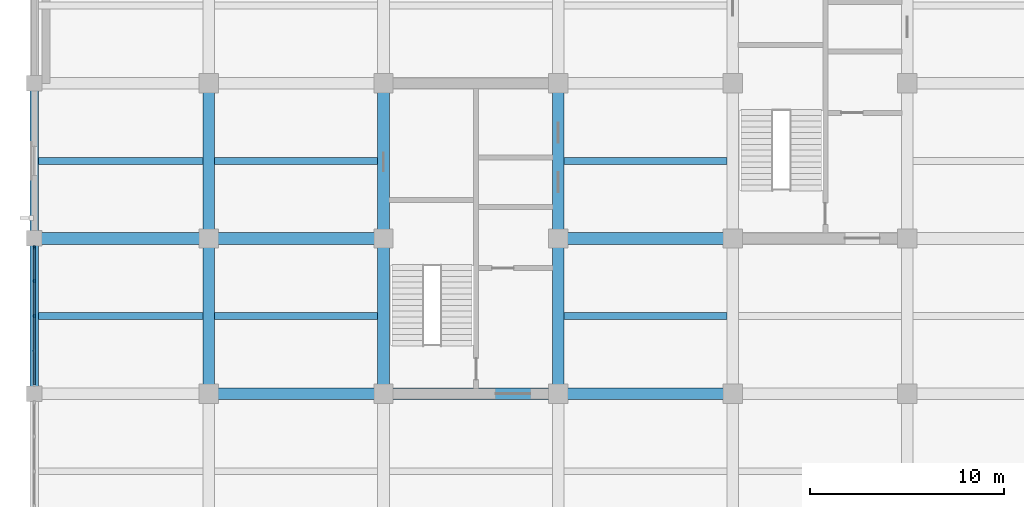
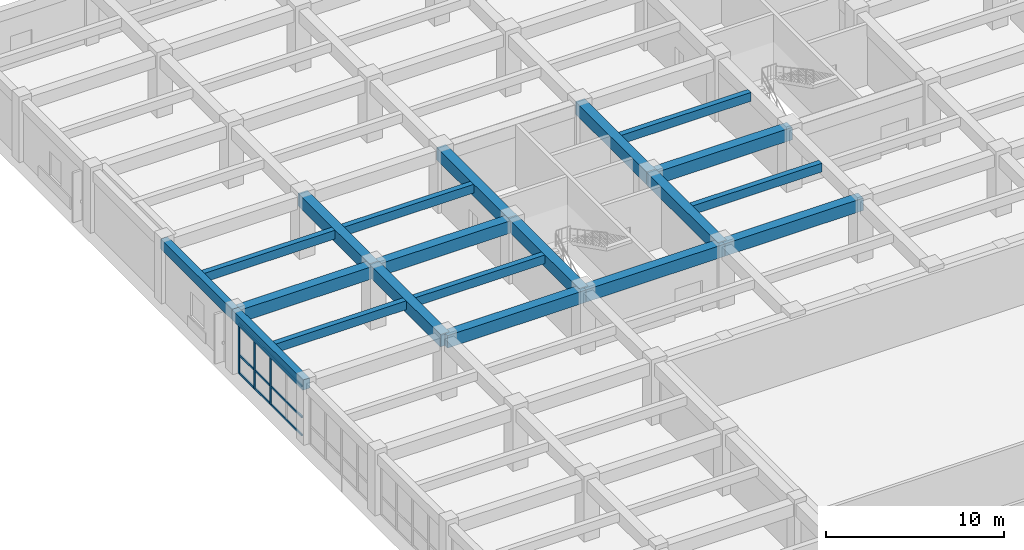
# One storey, part 14 of 50: 20 beams, 6 members, 1 element without a shape of its own.
"""IFC4 building model written with IfcOpenShell, lengths in metres."""

import ifcopenshell
import ifcopenshell.guid

model = None  # the IFC model being written
_history = None  # IfcOwnerHistory: only IFC2X3 demands one
_inside = {}  # id of a spatial element -> (the spatial element, [elements in it])
_under = {}  # id of a project, library or spatial element -> (it, [spatial elements below it])
_declared = {}  # id of a project -> (the project, [libraries it declares])
_typed = {}  # id of a type object -> (the type object, [elements of that type])
_made_of = {}  # id of a material, layer set ... -> (it, [elements and type objects made of it])


def new_model(schema):
    """Start an empty IFC model of exactly this schema.

    Asked for "IFC4X3", IfcOpenShell would pick the latest addendum, in which some entities
    have other attributes; the version numbers below select the first issue.
    IFC2X3 requires an IfcOwnerHistory on every rooted entity: one is made here for all.
    """
    global model, _history
    if schema == "IFC4X3":
        model = ifcopenshell.file(schema_version=(4, 3, 0, 0))
    else:
        model = ifcopenshell.file(schema=schema)
    _inside.clear()
    _under.clear()
    _declared.clear()
    _typed.clear()
    _made_of.clear()
    _history = None
    if model.schema == "IFC2X3":
        org = make("IfcOrganization", Name="unknown")
        user = make(
            "IfcPersonAndOrganization",
            ThePerson=make("IfcPerson", FamilyName="unknown"),
            TheOrganization=org,
        )
        app = make(
            "IfcApplication",
            ApplicationDeveloper=org,
            Version="unknown",
            ApplicationFullName="unknown",
            ApplicationIdentifier="unknown",
        )
        _history = make(
            "IfcOwnerHistory",
            OwningUser=user,
            OwningApplication=app,
            ChangeAction="ADDED",
            CreationDate=0,
        )
    return model


def make(cls, **values):
    """One entity of the class cls with the attributes given. An attribute that is None is left unset."""
    return model.create_entity(
        cls, **{name: value for name, value in values.items() if value is not None}
    )


def rooted(cls, **values):
    """An entity with a GlobalId (a new one), such as an element, a storey or a relation."""
    return make(cls, GlobalId=ifcopenshell.guid.new(), OwnerHistory=_history, **values)


def si_unit(unit_type, name, prefix=None):
    """IfcSIUnit, for example si_unit("LENGTHUNIT", "METRE", prefix="MILLI")."""
    return make("IfcSIUnit", UnitType=unit_type, Prefix=prefix, Name=name)


def assignment(units):
    """IfcUnitAssignment: the units of a project."""
    return None if units is None else make("IfcUnitAssignment", Units=units)


def point(xyz):
    """IfcCartesianPoint."""
    return None if xyz is None else make("IfcCartesianPoint", Coordinates=xyz)


def direction(xyz):
    """IfcDirection."""
    return None if xyz is None else make("IfcDirection", DirectionRatios=xyz)


def frame(location, z_axis=None, x_axis=None):
    """IfcAxis2Placement3D, a coordinate frame: its origin and axes. An axis left out is left unset."""
    return make(
        "IfcAxis2Placement3D",
        Location=point(location),
        Axis=direction(z_axis),
        RefDirection=direction(x_axis),
    )


def frame_2d(location, x_axis=None):
    """IfcAxis2Placement2D, a coordinate frame in the plane: its origin and x axis."""
    return make(
        "IfcAxis2Placement2D", Location=point(location), RefDirection=direction(x_axis)
    )


def origin():
    """The frame at (0, 0, 0) with its axes left unset."""
    return frame((0.0, 0.0, 0.0))


def origin_2d():
    """The frame at (0, 0) in the plane with its x axis left unset."""
    return frame_2d((0.0, 0.0))


def place(relative_to, where):
    """IfcLocalPlacement: puts the frame where relative to a parent placement (None: the world)."""
    return make(
        "IfcLocalPlacement", PlacementRelTo=relative_to, RelativePlacement=where
    )


def context(
    kind, dimensions, precision=None, world=None, true_north=None, identifier=None
):
    """IfcGeometricRepresentationContext, for example the 3D "Model" context."""
    return make(
        "IfcGeometricRepresentationContext",
        ContextIdentifier=identifier,
        ContextType=kind,
        CoordinateSpaceDimension=dimensions,
        Precision=precision,
        WorldCoordinateSystem=world,
        TrueNorth=true_north,
    )


def subcontext(parent, identifier, kind, view, scale=None):
    """IfcGeometricRepresentationSubContext, for example "Body" below "Model"."""
    return make(
        "IfcGeometricRepresentationSubContext",
        ContextIdentifier=identifier,
        ContextType=kind,
        ParentContext=parent,
        TargetScale=scale,
        TargetView=view,
    )


def project(units=None, contexts=None):
    """IfcProject with its units and contexts."""
    return rooted(
        "IfcProject",
        Name="project",
        RepresentationContexts=contexts,
        UnitsInContext=assignment(units),
    )


def spatial(cls, under=None, at=None, **own):
    """A site, building, storey or space (cls), placed at a placement, below another one or the project."""
    s = rooted(cls, ObjectPlacement=at, **own)
    if under is not None:
        _under.setdefault(under.id(), (under, []))[1].append(s)
    return s


def profile(cls, at=None, kind="AREA", **sizes):
    """A parametric profile (cls). Its sizes go by their IFC names, for example OverallWidth=200.0."""
    return make(cls, ProfileType=kind, Position=at, **sizes)


def rectangle(**sizes):
    """IfcRectangleProfileDef."""
    return profile("IfcRectangleProfileDef", **sizes)


def extrude(swept, where, along, depth):
    """IfcExtrudedAreaSolid: the profile swept, set in the frame where, extruded along a direction by depth."""
    return make(
        "IfcExtrudedAreaSolid",
        SweptArea=swept,
        Position=where,
        ExtrudedDirection=direction(along),
        Depth=depth,
    )


def shape(context_of_items, identifier, shape_type, items):
    """IfcShapeRepresentation: the items that make up one representation, for example the "Body"."""
    return make(
        "IfcShapeRepresentation",
        ContextOfItems=context_of_items,
        RepresentationIdentifier=identifier,
        RepresentationType=shape_type,
        Items=items,
    )


def material(Name=None, Category=None):
    """IfcMaterial."""
    return make("IfcMaterial", Name=Name, Category=Category)


def material_profile(
    of_material, cross_section, Name=None, Category=None, Priority=None
):
    """IfcMaterialProfile: a cross section and its material."""
    return make(
        "IfcMaterialProfile",
        Name=Name,
        Material=of_material,
        Profile=cross_section,
        Priority=Priority,
        Category=Category,
    )


def profile_set(profiles, Name=None, composite=None):
    """IfcMaterialProfileSet."""
    return make(
        "IfcMaterialProfileSet",
        Name=Name,
        MaterialProfiles=profiles,
        CompositeProfile=composite,
    )


def made_of(thing, what):
    """Note that an element or type object is made of a material, layer set ...; save() writes the relation."""
    if what is not None:
        _made_of.setdefault(what.id(), (what, []))[1].append(thing)
    return thing


def type_object(cls, material=None, **own):
    """A type object (cls), such as IfcWallType, which elements share."""
    return made_of(rooted(cls, **own), material)


def element(
    cls,
    number,
    at=None,
    inside=None,
    cuts=None,
    type_object=None,
    material=None,
    context=None,
    identifier="Body",
    shape_type=None,
    held_by="IfcProductDefinitionShape",
    body=None,
    shapes=None,
    **own,
):
    """One element of the class cls, such as IfcWall. Its Tag is "e" and its number.

    at: its placement. inside: the storey or other place that contains it. cuts: it is an
    opening in that element (IfcRelVoidsElement). A single representation is given by context,
    identifier, shape_type and body (its items); several are given by shapes. held_by: the class
    of the entity that holds the representations. save() writes the other relations.
    """
    e = rooted(cls, Tag="e%d" % number, ObjectPlacement=at, **own)
    if body is not None:
        shapes = [shape(context, identifier, shape_type, body)]
    if shapes is not None:
        e.Representation = make(held_by, Representations=shapes)
    if inside is not None:
        _inside.setdefault(inside.id(), (inside, []))[1].append(e)
    if cuts is not None:
        rooted(
            "IfcRelVoidsElement", RelatingBuildingElement=cuts, RelatedOpeningElement=e
        )
    if type_object is not None:
        _typed.setdefault(type_object.id(), (type_object, []))[1].append(e)
    return made_of(e, material)


def aggregate(whole, parts):
    """IfcRelAggregates: a whole, such as a stair, and the parts it consists of."""
    return rooted("IfcRelAggregates", RelatingObject=whole, RelatedObjects=parts)


def save(model, path):
    """Write the relations noted so far, then the file.

    IfcRelAggregates (storeys below a building ...), IfcRelContainedInSpatialStructure (elements
    in a storey), IfcRelDefinesByType, IfcRelAssociatesMaterial and IfcRelDeclares: one each for
    every whole, place, type object, material and project.
    """
    for whole, parts in _under.values():
        aggregate(whole, parts)
    for where, things in _inside.values():
        rooted(
            "IfcRelContainedInSpatialStructure",
            RelatedElements=things,
            RelatingStructure=where,
        )
    for kind, things in _typed.values():
        rooted("IfcRelDefinesByType", RelatedObjects=things, RelatingType=kind)
    for what, things in _made_of.values():
        rooted("IfcRelAssociatesMaterial", RelatedObjects=things, RelatingMaterial=what)
    for by, libraries in _declared.values():
        rooted("IfcRelDeclares", RelatingContext=by, RelatedDefinitions=libraries)
    model.write(path)


model = new_model("IFC4")

# Units and contexts
model_context = context("Model", 3, precision=1e-05, world=origin(), true_north=direction((0.0, 1.0)))
body_context = subcontext(model_context, "Body", "Model", "MODEL_VIEW")
ifc_project = project(units=[si_unit("LENGTHUNIT", "METRE"), si_unit("AREAUNIT", "SQUARE_METRE"), si_unit("VOLUMEUNIT", "CUBIC_METRE"), si_unit("PLANEANGLEUNIT", "RADIAN"), si_unit("MASSUNIT", "GRAM", prefix="KILO")], contexts=[model_context])

# Site, building, storey
site_placement = place(None, origin())
site = spatial("IfcSite", under=ifc_project, at=site_placement, CompositionType="ELEMENT")
building_placement = place(site_placement, origin())
building = spatial("IfcBuilding", under=site, at=building_placement, Name="Zaverband Oceanarium and Marine Research Institute", CompositionType="ELEMENT")
storey_placement = place(building_placement, frame((0.0, 0.0, 4.5)))
storey = spatial("IfcBuildingStorey", under=building, at=storey_placement, Name="L01", CompositionType="ELEMENT", Elevation=4.5)

# Beams
ifc_material_1 = material(Name="Concrete C40/50", Category="concrete")
ifc_material_profile_1 = material_profile(ifc_material_1, rectangle(XDim=0.60009765625, YDim=0.85009765625, at=origin_2d()), Name="RC600x850")
ifc_profile_set_1 = profile_set([ifc_material_profile_1], Name="Concrete C40/50")
beam_type_1 = type_object("IfcBeamType", Name="BM-600x850", PredefinedType="BEAM", material=ifc_profile_set_1)
for number, where, z_axis, x_axis, name in (
    (1, (9.0, 80.0, 3.7548828125), (1.0, 0.0, 0.0), (0.0, 1.0, 0.0), "Primary floor girder BM-600x850"),
    (2, (18.0, 80.0, 3.7548828125), (1.0, 0.0, 0.0), (0.0, 1.0, 0.0), "Primary floor girder BM-600x850"),
    (3, (27.0, 80.0, 3.7548828125), (1.0, 0.0, 0.0), (0.0, 1.0, 0.0), "Primary floor girder BM-600x850"),
    (4, (0.0, 88.0, 3.7548828125), (1.0, 0.0, 0.0), (0.0, 1.0, 0.0), "Primary floor girder BM-600x850"),
    (5, (9.0, 88.0, 3.7548828125), (1.0, 0.0, 0.0), (0.0, 1.0, 0.0), "Primary floor girder BM-600x850"),
    (6, (27.0, 88.0, 3.7548828125), (1.0, 0.0, 0.0), (0.0, 1.0, 0.0), "Primary floor girder BM-600x850"),
):
    element("IfcBeam", number, at=place(storey_placement, frame(where, z_axis=z_axis, x_axis=x_axis)), inside=storey, type_object=beam_type_1, Name=name, PredefinedType="BEAM", context=body_context, shape_type="SweptSolid", body=[
        extrude(rectangle(XDim=0.60009765625, YDim=0.85009765625, at=origin_2d()), origin(), (0.0, 0.0, 1.0), 9.0),
    ])
for number, where, z_axis, x_axis, name in (
    (7, (9.0, 80.0, 3.7548828125), (0.0, 1.0, 0.0), (-1.0, 0.0, 0.0), "Primary floor girder BM-600x850"),
    (8, (9.0, 88.0, 3.7548828125), (0.0, 1.0, 0.0), (-1.0, 0.0, 0.0), "Primary floor girder BM-600x850"),
    (9, (18.0, 80.0, 3.7548828125), (0.0, 1.0, 0.0), (-1.0, 0.0, 0.0), "Primary floor girder BM-600x850"),
    (10, (18.0, 88.0, 3.7548828125), (0.0, 1.0, 0.0), (-1.0, 0.0, 0.0), "Primary floor girder BM-600x850"),
    (11, (27.0, 80.0, 3.7548828125), (0.0, 1.0, 0.0), (-1.0, 0.0, 0.0), "Primary floor girder BM-600x850"),
    (12, (27.0, 88.0, 3.7548828125), (0.0, 1.0, 0.0), (-1.0, 0.0, 0.0), "Primary floor girder BM-600x850"),
):
    element("IfcBeam", number, at=place(storey_placement, frame(where, z_axis=z_axis, x_axis=x_axis)), inside=storey, type_object=beam_type_1, Name=name, PredefinedType="BEAM", context=body_context, shape_type="SweptSolid", body=[
        extrude(rectangle(XDim=0.60009765625, YDim=0.85009765625, at=origin_2d()), origin(), (0.0, 0.0, 1.0), 8.0),
    ])
ifc_material_profile_2 = material_profile(ifc_material_1, rectangle(XDim=0.35009765625, YDim=0.60009765625, at=origin_2d()), Name="RC350x600")
ifc_profile_set_2 = profile_set([ifc_material_profile_2], Name="Concrete C40/50")
beam_type_2 = type_object("IfcBeamType", Name="JST-350x600", PredefinedType="JOIST", material=ifc_profile_set_2)
for number, where, z_axis, x_axis, name in (
    (13, (0.22509765625, 84.0, 3.8798828125), (1.0, 0.0, 0.0), (0.0, 1.0, 0.0), "Secondary floor joist JST-350x600"),
    (14, (0.22509765625, 92.0, 3.8798828125), (1.0, 0.0, 0.0), (0.0, 1.0, 0.0), "Secondary floor joist JST-350x600"),
):
    element("IfcBeam", number, at=place(storey_placement, frame(where, z_axis=z_axis, x_axis=x_axis)), inside=storey, type_object=beam_type_2, Name=name, PredefinedType="JOIST", context=body_context, shape_type="SweptSolid", body=[
        extrude(rectangle(XDim=0.35009765625, YDim=0.60009765625, at=origin_2d()), origin(), (0.0, 0.0, 1.0), 8.474853515625),
    ])
for number, where, z_axis, x_axis, name in (
    (15, (9.300048828125, 84.0, 3.8798828125), (1.0, 0.0, 0.0), (0.0, 1.0, 0.0), "Secondary floor joist JST-350x600"),
    (16, (9.300048828125, 92.0, 3.8798828125), (1.0, 0.0, 0.0), (0.0, 1.0, 0.0), "Secondary floor joist JST-350x600"),
    (17, (27.300048828125, 84.0, 3.8798828125), (1.0, 0.0, 0.0), (0.0, 1.0, 0.0), "Secondary floor joist JST-350x600"),
    (18, (27.300048828125, 92.0, 3.8798828125), (1.0, 0.0, 0.0), (0.0, 1.0, 0.0), "Secondary floor joist JST-350x600"),
):
    element("IfcBeam", number, at=place(storey_placement, frame(where, z_axis=z_axis, x_axis=x_axis)), inside=storey, type_object=beam_type_2, Name=name, PredefinedType="JOIST", context=body_context, shape_type="SweptSolid", body=[
        extrude(rectangle(XDim=0.35009765625, YDim=0.60009765625, at=origin_2d()), origin(), (0.0, 0.0, 1.0), 8.39990234375),
    ])

# Curtain wall, members
ifc_material_2 = material(Name="Thermally broken anodized aluminium and solar-control glass", Category="aluminium")
curtain_wall_type = type_object("IfcCurtainWallType", Name="CW-UNIT-1800", PredefinedType="NOTDEFINED", material=ifc_material_2)
curtain_wall_placement = place(storey_placement, origin())
curtain_wall = element("IfcCurtainWall", 19, at=curtain_wall_placement, inside=storey, type_object=curtain_wall_type, Name="Unitised glazed curtain wall CW-034", PredefinedType="NOTDEFINED")
ifc_material_3 = material(Name="Thermally broken anodized aluminium", Category="aluminium")
ifc_material_profile_3 = material_profile(ifc_material_3, rectangle(XDim=0.080078125, YDim=0.179931640625, at=origin_2d()), Name="AL-MUL-80x180")
ifc_profile_set_3 = profile_set([ifc_material_profile_3], Name="Thermally broken anodized aluminium")
member_type_1 = type_object("IfcMemberType", Name="MUL-80x180", PredefinedType="MULLION", material=ifc_profile_set_3)
member_1_placement = place(storey_placement, frame((0.0, 84.0, 0.0), z_axis=(0.0, 0.0, 1.0), x_axis=(1.0, 0.0, 0.0)))
member_1 = element("IfcMember", 20, at=member_1_placement, type_object=member_type_1, Name="Curtain wall vertical mullion MUL-80x180", PredefinedType="MULLION", context=body_context, shape_type="SweptSolid", body=[
    extrude(rectangle(XDim=0.080078125, YDim=0.179931640625, at=origin_2d()), origin(), (0.0, 0.0, 1.0), 3.4599609375),
])
member_2_placement = place(storey_placement, frame((0.0, 85.797607421875, 0.0), z_axis=(0.0, 0.0, 1.0), x_axis=(1.0, 0.0, 0.0)))
member_2 = element("IfcMember", 21, at=member_2_placement, type_object=member_type_1, Name="Curtain wall vertical mullion MUL-80x180", PredefinedType="MULLION", context=body_context, shape_type="SweptSolid", body=[
    extrude(rectangle(XDim=0.080078125, YDim=0.179931640625, at=origin_2d()), origin(), (0.0, 0.0, 1.0), 3.4599609375),
])
member_3_placement = place(storey_placement, frame((0.0, 87.534912109375, 0.0), z_axis=(0.0, 0.0, 1.0), x_axis=(1.0, 0.0, 0.0)))
member_3 = element("IfcMember", 22, at=member_3_placement, type_object=member_type_1, Name="Curtain wall vertical mullion MUL-80x180", PredefinedType="MULLION", context=body_context, shape_type="SweptSolid", body=[
    extrude(rectangle(XDim=0.080078125, YDim=0.179931640625, at=origin_2d()), origin(), (0.0, 0.0, 1.0), 3.4599609375),
])

# Beams
ifc_material_profile_4 = material_profile(ifc_material_1, rectangle(XDim=0.449951171875, YDim=0.699951171875, at=origin_2d()), Name="RC450x700")
ifc_profile_set_4 = profile_set([ifc_material_profile_4], Name="Concrete C40/50")
beam_type_3 = type_object("IfcBeamType", Name="SPN-450x700", PredefinedType="SPANDREL", material=ifc_profile_set_4)
for number, where, z_axis, x_axis, name in (
    (23, (0.0, 80.0, 3.830078125), (0.0, 1.0, 0.0), (-1.0, 0.0, 0.0), "Perimeter spandrel beam SPN-450x700"),
    (24, (0.0, 88.0, 3.830078125), (0.0, 1.0, 0.0), (-1.0, 0.0, 0.0), "Perimeter spandrel beam SPN-450x700"),
):
    element("IfcBeam", number, at=place(storey_placement, frame(where, z_axis=z_axis, x_axis=x_axis)), inside=storey, type_object=beam_type_3, Name=name, PredefinedType="SPANDREL", context=body_context, shape_type="SweptSolid", body=[
        extrude(rectangle(XDim=0.449951171875, YDim=0.699951171875, at=origin_2d()), origin(), (0.0, 0.0, 1.0), 8.0),
    ])

# Member
ifc_material_profile_5 = material_profile(ifc_material_3, rectangle(XDim=0.080078125, YDim=0.139892578125, at=origin_2d()), Name="AL-TRN-80x140")
ifc_profile_set_5 = profile_set([ifc_material_profile_5], Name="Thermally broken anodized aluminium")
member_type_2 = type_object("IfcMemberType", Name="TRN-80x140", PredefinedType="USERDEFINED", material=ifc_profile_set_5)
member_4_placement = place(storey_placement, frame((0.0, 80.465087890625, 0.050048828125), z_axis=(0.0, 1.0, 0.0), x_axis=(-1.0, 0.0, 0.0)))
member_4 = element("IfcMember", 25, at=member_4_placement, type_object=member_type_2, Name="Curtain wall horizontal transom TRN-80x140", ObjectType="TRANSOM", PredefinedType="USERDEFINED", context=body_context, shape_type="SweptSolid", body=[
    extrude(rectangle(XDim=0.080078125, YDim=0.139892578125, at=origin_2d()), origin(), (0.0, 0.0, 1.0), 7.06982421875),
])

member_5_placement = place(storey_placement, frame((0.0, 80.465087890625, 1.291015625), z_axis=(0.0, 1.0, 0.0), x_axis=(-1.0, 0.0, 0.0)))
member_5 = element("IfcMember", 26, at=member_5_placement, type_object=member_type_2, Name="Curtain wall horizontal transom TRN-80x140", ObjectType="TRANSOM", PredefinedType="USERDEFINED", context=body_context, shape_type="SweptSolid", body=[
    extrude(rectangle(XDim=0.080078125, YDim=0.139892578125, at=origin_2d()), origin(), (0.0, 0.0, 1.0), 7.06982421875),
])

member_6_placement = place(storey_placement, frame((0.0, 80.465087890625, 3.409912109375), z_axis=(0.0, 1.0, 0.0), x_axis=(-1.0, 0.0, 0.0)))
member_6 = element("IfcMember", 27, at=member_6_placement, type_object=member_type_2, Name="Curtain wall horizontal transom TRN-80x140", ObjectType="TRANSOM", PredefinedType="USERDEFINED", context=body_context, shape_type="SweptSolid", body=[
    extrude(rectangle(XDim=0.080078125, YDim=0.139892578125, at=origin_2d()), origin(), (0.0, 0.0, 1.0), 7.06982421875),
])

aggregate(curtain_wall, [member_1, member_2, member_3, member_4, member_5, member_6])

save(model, "model.ifc")
